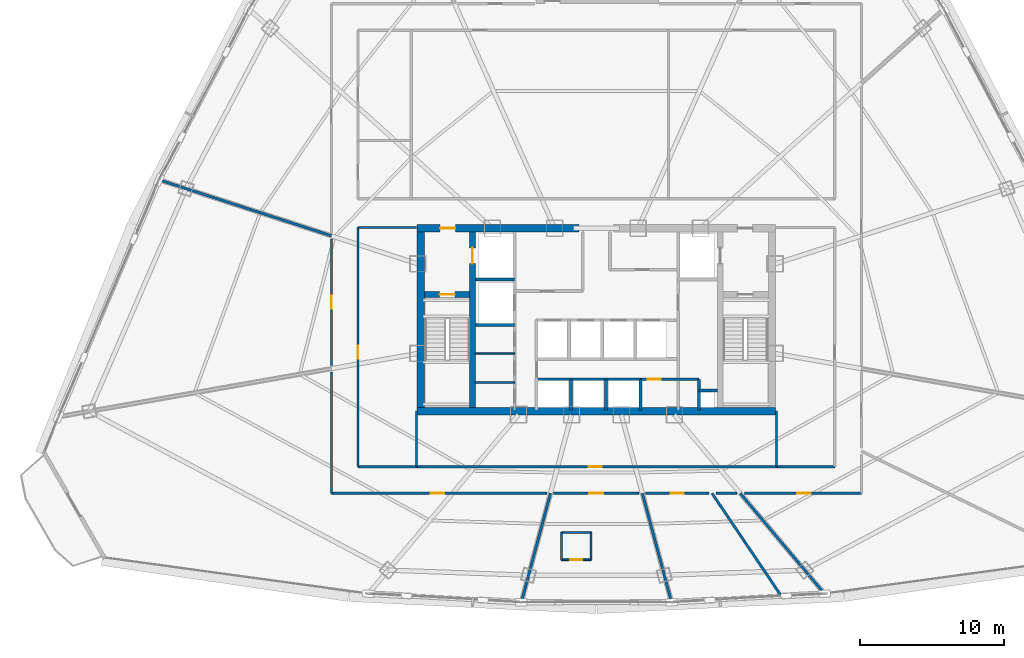
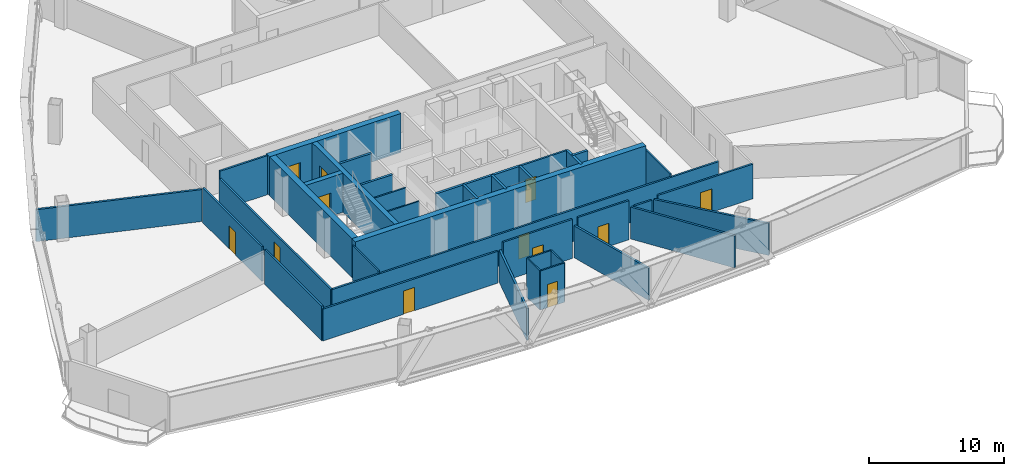
# One storey, part 30 of 37: 37 walls, 12 doors, 12 openings.
"""IFC4 building model written with IfcOpenShell, lengths in metres."""

from ifc_helpers import new_model, si_unit, direction, frame, frame_2d, origin, origin_with_axes, place, context, subcontext, project, spatial, rectangle, extrude, source, transform, mapped, material, layer, layer_set, type_object, element, fill, save


model = new_model("IFC4")

# Units and contexts
model_context = context("Model", 3, precision=1e-05, world=origin(), true_north=direction((0.0, 1.0)))
body_context = subcontext(model_context, "Body", "Model", "MODEL_VIEW")
ifc_project = project(units=[si_unit("LENGTHUNIT", "METRE"), si_unit("AREAUNIT", "SQUARE_METRE"), si_unit("VOLUMEUNIT", "CUBIC_METRE"), si_unit("PLANEANGLEUNIT", "RADIAN"), si_unit("MASSUNIT", "GRAM", prefix="KILO"), si_unit("THERMODYNAMICTEMPERATUREUNIT", "KELVIN"), si_unit("POWERUNIT", "WATT")], contexts=[model_context])

# Site, building, storey
site_placement = place(None, origin())
site = spatial("IfcSite", under=ifc_project, at=site_placement, CompositionType="ELEMENT")
building_placement = place(site_placement, origin())
building = spatial("IfcBuilding", under=site, at=building_placement, Name="Yunzhuo Pagoda Commons", CompositionType="ELEMENT")
storey_placement = place(building_placement, frame((0.0, 0.0, 192.360107421875)))
storey = spatial("IfcBuildingStorey", under=building, at=storey_placement, Name="L48", CompositionType="ELEMENT", Elevation=192.360107421875)

# Wall
ifc_material_1 = material(Name="Concrete C50", Category="concrete")
ifc_layer_1 = layer(ifc_material_1, 0.5)
ifc_layer_set_1 = layer_set([ifc_layer_1], Name="Concrete C50")
wall_type_1 = type_object("IfcWallType", Name="W-C03 Upper Core Shear Wall 500", PredefinedType="SHEAR", material=ifc_layer_set_1)
wall_1_placement = place(storey_placement, frame((35.550048828125, 27.5, 0.0), z_axis=(0.0, 0.0, 1.0), x_axis=(1.0, 0.0, 0.0)))
element("IfcWall", 1, at=wall_1_placement, inside=storey, type_object=wall_type_1, Name="L48 core shear wall S", PredefinedType="SHEAR", context=body_context, shape_type="SweptSolid", body=[
    extrude(rectangle(XDim=24.89990234375, YDim=0.5, at=frame_2d((12.449951171875, 0.0))), origin(), (0.0, 0.0, 1.0), 3.539794921875),
])

# Wall, opening, door
wall_2_placement = place(storey_placement, frame((35.550048828125, 40.199951171875, 0.0), z_axis=(0.0, 0.0, 1.0), x_axis=(1.0, 0.0, 0.0)))
wall_2 = element("IfcWall", 2, at=wall_2_placement, inside=storey, type_object=wall_type_1, Name="L48 core shear wall NW", PredefinedType="SHEAR", context=body_context, shape_type="SweptSolid", body=[
    extrude(rectangle(XDim=11.25, YDim=0.5, at=frame_2d((5.625, 0.0))), origin(), (0.0, 0.0, 1.0), 3.539794921875),
])
opening_1_placement = place(wall_2_placement, frame((1.60009765625, 0.0, 0.0)))
opening_1 = element("IfcOpeningElement", 3, at=opening_1_placement, cuts=wall_2, Name="Opening D-02", PredefinedType="OPENING", context=body_context, shape_type="SweptSolid", body=[
    extrude(rectangle(XDim=1.050048828125, YDim=2.10009765625, at=frame_2d((0.52490234375, 1.050048828125))), frame((0.0, 0.260009765625, 0.0), z_axis=(0.0, -1.0, 0.0), x_axis=(1.0, 0.0, 0.0)), (0.0, 0.0, 1.0), 0.52001953125),
])
ifc_material_2 = material(Name="Galvanized fire-resisting metal leaf")
door_type_1 = type_object("IfcDoorType", Name="D-02 Firefighting Lobby & Refuge Fire Door 1050x2100", OperationType="NOTDEFINED", PredefinedType="DOOR", material=ifc_material_2)
shared_shape_1 = source(origin(), body_context, "Body", "SweptSolid", [
    extrude(rectangle(XDim=1.050048828125, YDim=2.10009765625, at=frame_2d((0.52490234375, 1.050048828125))), frame((0.0, 0.02490234375, 0.0), z_axis=(0.0, -1.0, 0.0), x_axis=(1.0, 0.0, 0.0)), (0.0, 0.0, 1.0), 0.050048828125),
])
door_1_placement = place(opening_1_placement, frame((1.050048828125, 0.0, 0.0), z_axis=(0.0, 0.0, 1.0), x_axis=(-1.0, 0.0, 0.0)))
door_1 = element("IfcDoor", 4, at=door_1_placement, inside=storey, type_object=door_type_1, Name="L48 Firefighting Lobby 1 fire door", OperationType="SINGLE_SWING_LEFT", OverallHeight=2.10009765625, OverallWidth=1.050048828125, PredefinedType="DOOR", context=body_context, shape_type="MappedRepresentation", body=[
    mapped(shared_shape_1, transform((0.0, 0.0, 0.0), scale=1.0)),
])
fill(opening_1, door_1)

# Wall
wall_3_placement = place(storey_placement, frame((35.800048828125, 27.75, 0.0), z_axis=(0.0, 0.0, 1.0), x_axis=(0.0, 1.0, 0.0)))
element("IfcWall", 5, at=wall_3_placement, inside=storey, type_object=wall_type_1, Name="L48 core shear wall W", PredefinedType="SHEAR", context=body_context, shape_type="SweptSolid", body=[
    extrude(rectangle(XDim=12.199951171875, YDim=0.5, at=frame_2d((6.10009765625, 0.0))), origin(), (0.0, 0.0, 1.0), 3.539794921875),
])

# Wall, opening, door
ifc_material_3 = material(Name="Gypsum plasterboard on acoustic stud")
ifc_layer_2 = layer(ifc_material_3, 0.155029296875)
ifc_layer_set_2 = layer_set([ifc_layer_2], Name="Gypsum plasterboard on acoustic stud")
wall_type_2 = type_object("IfcWallType", Name="W-COR2 Mid-Zone Rated Corridor Wall 155", PredefinedType="PARTITIONING", material=ifc_layer_set_2)
wall_4_placement = place(storey_placement, frame((51.050048828125, 29.719970703125, 0.0), z_axis=(0.0, 0.0, 1.0), x_axis=(1.0, 0.0, 0.0)))
wall_4 = element("IfcWall", 6, at=wall_4_placement, inside=storey, type_object=wall_type_2, Name="L48 interior wall IW-L48-CSES", PredefinedType="PARTITIONING", context=body_context, shape_type="SweptSolid", body=[
    extrude(rectangle(XDim=4.070068359375, YDim=0.155029296875, at=frame_2d((2.03515625, 0.0))), origin(), (0.0, 0.0, 1.0), 3.539794921875),
])
opening_2_placement = place(wall_4_placement, frame((0.5, 0.0, 0.0)))
opening_2 = element("IfcOpeningElement", 7, at=opening_2_placement, cuts=wall_4, Name="Opening D-03", PredefinedType="OPENING", context=body_context, shape_type="SweptSolid", body=[
    extrude(rectangle(XDim=0.89990234375, YDim=2.10009765625, at=frame_2d((0.449951171875, 1.050048828125))), frame((0.0, 0.08740234375, 0.0), z_axis=(0.0, -1.0, 0.0), x_axis=(1.0, 0.0, 0.0)), (0.0, 0.0, 1.0), 0.175048828125),
])
door_type_2 = type_object("IfcDoorType", Name="D-03 Core Service Fire Door 900x2100", OperationType="NOTDEFINED", PredefinedType="DOOR", material=ifc_material_2)
shared_shape_2 = source(origin(), body_context, "Body", "SweptSolid", [
    extrude(rectangle(XDim=0.89990234375, YDim=2.10009765625, at=frame_2d((0.449951171875, 1.050048828125))), frame((0.0, 0.02490234375, 0.0), z_axis=(0.0, -1.0, 0.0), x_axis=(1.0, 0.0, 0.0)), (0.0, 0.0, 1.0), 0.050048828125),
])
door_2_placement = place(opening_2_placement, origin_with_axes())
door_2 = element("IfcDoor", 8, at=door_2_placement, inside=storey, type_object=door_type_2, Name="L48 core pantry door", OperationType="SINGLE_SWING_RIGHT", OverallHeight=2.10009765625, OverallWidth=0.89990234375, PredefinedType="DOOR", context=body_context, shape_type="MappedRepresentation", body=[
    mapped(shared_shape_2, transform((0.0, 0.0, 0.0), scale=1.0)),
])
fill(opening_2, door_2)

wall_5_placement = place(storey_placement, frame((31.449951171875, 23.64990234375, 0.0), z_axis=(0.0, 0.0, 1.0), x_axis=(0.0, 1.0, 0.0)))
wall_5 = element("IfcWall", 9, at=wall_5_placement, inside=storey, type_object=wall_type_2, Name="L48 interior wall IW-L48-SFLW", PredefinedType="PARTITIONING", context=body_context, shape_type="SweptSolid", body=[
    extrude(rectangle(XDim=16.60009765625, YDim=0.155029296875, at=frame_2d((8.300048828125, 0.0))), origin(), (0.0, 0.0, 1.0), 2.889892578125),
])
opening_3_placement = place(wall_5_placement, frame((7.5, 0.0, 0.0)))
opening_3 = element("IfcOpeningElement", 10, at=opening_3_placement, cuts=wall_5, Name="Opening D-12", PredefinedType="OPENING", context=body_context, shape_type="SweptSolid", body=[
    extrude(rectangle(XDim=0.89990234375, YDim=2.080078125, at=frame_2d((0.449951171875, 1.0400390625))), frame((0.0, 0.08740234375, 0.0), z_axis=(0.0, -1.0, 0.0), x_axis=(1.0, 0.0, 0.0)), (0.0, 0.0, 1.0), 0.175048828125),
])
ifc_material_4 = material(Name="Powder-coated aluminium and timber acoustic leaf", Category="wood")
door_type_3 = type_object("IfcDoorType", Name="D-12 Quiet Study Interior Door 900x2080", OperationType="NOTDEFINED", PredefinedType="DOOR", material=ifc_material_4)
shared_shape_3 = source(origin(), body_context, "Body", "SweptSolid", [
    extrude(rectangle(XDim=0.89990234375, YDim=2.080078125, at=frame_2d((0.449951171875, 1.0400390625))), frame((0.0, 0.02490234375, 0.0), z_axis=(0.0, -1.0, 0.0), x_axis=(1.0, 0.0, 0.0)), (0.0, 0.0, 1.0), 0.050048828125),
])
door_3_placement = place(opening_3_placement, origin_with_axes())
door_3 = element("IfcDoor", 11, at=door_3_placement, inside=storey, type_object=door_type_3, Name="L48 west study workroom door", OperationType="SINGLE_SWING_LEFT", OverallHeight=2.080078125, OverallWidth=0.89990234375, PredefinedType="DOOR", context=body_context, shape_type="MappedRepresentation", body=[
    mapped(shared_shape_3, transform((0.0, 0.0, 0.0), scale=1.0)),
])
fill(opening_3, door_3)

wall_6_placement = place(storey_placement, frame((31.449951171875, 23.64990234375, 0.0), z_axis=(0.0, 0.0, 1.0), x_axis=(1.0, 0.0, 0.0)))
wall_6 = element("IfcWall", 12, at=wall_6_placement, inside=storey, type_object=wall_type_2, Name="L48 interior wall IW-L48-SFLS", PredefinedType="PARTITIONING", context=body_context, shape_type="SweptSolid", body=[
    extrude(rectangle(XDim=33.10009765625, YDim=0.155029296875, at=frame_2d((16.550048828125, 0.0))), origin(), (0.0, 0.0, 1.0), 2.889892578125),
])
opening_4_placement = place(wall_6_placement, frame((16.0, 0.0, 0.0)))
opening_4 = element("IfcOpeningElement", 13, at=opening_4_placement, cuts=wall_6, Name="Opening D-04", PredefinedType="OPENING", context=body_context, shape_type="SweptSolid", body=[
    extrude(rectangle(XDim=0.919921875, YDim=2.10009765625, at=frame_2d((0.4599609375, 1.050048828125))), frame((0.0, 0.08740234375, 0.0), z_axis=(0.0, -1.0, 0.0), x_axis=(1.0, 0.0, 0.0)), (0.0, 0.0, 1.0), 0.175048828125),
])
door_type_4 = type_object("IfcDoorType", Name="D-04 Bedroom & Study Interior Door 920x2100", OperationType="NOTDEFINED", PredefinedType="DOOR", material=ifc_material_4)
shared_shape_4 = source(origin(), body_context, "Body", "SweptSolid", [
    extrude(rectangle(XDim=0.919921875, YDim=2.10009765625, at=frame_2d((0.4599609375, 1.050048828125))), frame((0.0, 0.02490234375, 0.0), z_axis=(0.0, -1.0, 0.0), x_axis=(1.0, 0.0, 0.0)), (0.0, 0.0, 1.0), 0.050048828125),
])
door_4_placement = place(opening_4_placement, frame((0.919921875, 0.0, 0.0), z_axis=(0.0, 0.0, 1.0), x_axis=(-1.0, 0.0, 0.0)))
door_4 = element("IfcDoor", 14, at=door_4_placement, inside=storey, type_object=door_type_4, Name="L48 south seminar room door", OperationType="SINGLE_SWING_RIGHT", OverallHeight=2.10009765625, OverallWidth=0.919921875, PredefinedType="DOOR", context=body_context, shape_type="MappedRepresentation", body=[
    mapped(shared_shape_4, transform((0.0, 0.0, 0.0), scale=1.0)),
])
fill(opening_4, door_4)

# Walls
wall_7_placement = place(storey_placement, frame((31.449951171875, 40.25, 0.0), z_axis=(0.0, 0.0, 1.0), x_axis=(1.0, 0.0, 0.0)))
element("IfcWall", 15, at=wall_7_placement, inside=storey, type_object=wall_type_2, Name="L48 interior wall IW-L48-SFLNW", PredefinedType="PARTITIONING", context=body_context, shape_type="SweptSolid", body=[
    extrude(rectangle(XDim=4.050048828125, YDim=0.155029296875, at=frame_2d((2.02490234375, 0.0))), origin(), (0.0, 0.0, 1.0), 3.539794921875),
])
wall_8_placement = place(storey_placement, frame((29.60009765625, 21.800048828125, 0.0), z_axis=(0.0, 0.0, 1.0), x_axis=(0.0, 1.0, 0.0)))
element("IfcWall", 16, at=wall_8_placement, inside=storey, type_object=wall_type_2, Name="L48 interior wall IW-L48-CWL01", PredefinedType="PARTITIONING", context=body_context, shape_type="SweptSolid", body=[
    extrude(rectangle(XDim=8.43212890625, YDim=0.155029296875, at=frame_2d((4.216064453125, 0.0))), origin(), (0.0, 0.0, 1.0), 3.139892578125),
])

# Wall, opening, door
wall_9_placement = place(storey_placement, frame((29.60009765625, 30.67529296875, 0.0), z_axis=(0.0, 0.0, 1.0), x_axis=(0.0, 1.0, 0.0)))
wall_9 = element("IfcWall", 17, at=wall_9_placement, inside=storey, type_object=wall_type_2, Name="L48 interior wall IW-L48-CWL02", PredefinedType="PARTITIONING", context=body_context, shape_type="SweptSolid", body=[
    extrude(rectangle(XDim=8.783447265625, YDim=0.155029296875, at=frame_2d((4.3916015625, 0.0))), origin(), (0.0, 0.0, 1.0), 3.139892578125),
])
opening_5_placement = place(wall_9_placement, frame((3.931640625, 0.0, 0.0)))
opening_5 = element("IfcOpeningElement", 18, at=opening_5_placement, cuts=wall_9, Name="Opening D-04", PredefinedType="OPENING", context=body_context, shape_type="SweptSolid", body=[
    extrude(rectangle(XDim=0.919921875, YDim=2.10009765625, at=frame_2d((0.4599609375, 1.050048828125))), frame((0.0, 0.08740234375, 0.0), z_axis=(0.0, -1.0, 0.0), x_axis=(1.0, 0.0, 0.0)), (0.0, 0.0, 1.0), 0.175048828125),
])
door_5_placement = place(opening_5_placement, origin_with_axes())
door_5 = element("IfcDoor", 19, at=door_5_placement, inside=storey, type_object=door_type_4, Name="L48 seminar room 05 door", OperationType="SINGLE_SWING_RIGHT", OverallHeight=2.10009765625, OverallWidth=0.919921875, PredefinedType="DOOR", context=body_context, shape_type="MappedRepresentation", body=[
    mapped(shared_shape_4, transform((0.0, 0.0, 0.0), scale=1.0)),
])
fill(opening_5, door_5)

wall_10_placement = place(storey_placement, frame((66.39990234375, 21.800048828125, 0.0), z_axis=(0.0, 0.0, 1.0), x_axis=(-1.0, 0.0, 0.0)))
wall_10 = element("IfcWall", 20, at=wall_10_placement, inside=storey, type_object=wall_type_2, Name="L48 interior wall IW-L48-CWL12", PredefinedType="PARTITIONING", context=body_context, shape_type="SweptSolid", body=[
    extrude(rectangle(XDim=8.12744140625, YDim=0.155029296875, at=frame_2d((4.063720703125, 0.0))), origin(), (0.0, 0.0, 1.0), 3.139892578125),
])
opening_6_placement = place(wall_10_placement, frame((3.50244140625, 0.0, 0.0)))
opening_6 = element("IfcOpeningElement", 21, at=opening_6_placement, cuts=wall_10, Name="Opening D-07", PredefinedType="OPENING", context=body_context, shape_type="SweptSolid", body=[
    extrude(rectangle(XDim=0.9599609375, YDim=2.1201171875, at=frame_2d((0.47998046875, 1.06005859375))), frame((0.0, 0.08740234375, 0.0), z_axis=(0.0, -1.0, 0.0), x_axis=(1.0, 0.0, 0.0)), (0.0, 0.0, 1.0), 0.175048828125),
])
door_type_5 = type_object("IfcDoorType", Name="D-07 Mid-Zone Suite Entrance Fire Door 960x2120", OperationType="NOTDEFINED", PredefinedType="DOOR", material=ifc_material_2)
shared_shape_5 = source(origin(), body_context, "Body", "SweptSolid", [
    extrude(rectangle(XDim=0.9599609375, YDim=2.1201171875, at=frame_2d((0.47998046875, 1.06005859375))), frame((0.0, 0.02490234375, 0.0), z_axis=(0.0, -1.0, 0.0), x_axis=(1.0, 0.0, 0.0)), (0.0, 0.0, 1.0), 0.050048828125),
])
door_6_placement = place(opening_6_placement, origin_with_axes())
door_6 = element("IfcDoor", 22, at=door_6_placement, inside=storey, type_object=door_type_5, Name="L48 unit 10 entrance door", OperationType="SINGLE_SWING_LEFT", OverallHeight=2.1201171875, OverallWidth=0.9599609375, PredefinedType="DOOR", context=body_context, shape_type="MappedRepresentation", body=[
    mapped(shared_shape_5, transform((0.0, 0.0, 0.0), scale=1.0)),
])
fill(opening_6, door_6)

# Wall
wall_11_placement = place(storey_placement, frame((57.765380859375, 21.800048828125, 0.0), z_axis=(0.0, 0.0, 1.0), x_axis=(-1.0, 0.0, 0.0)))
element("IfcWall", 23, at=wall_11_placement, inside=storey, type_object=wall_type_2, Name="L48 interior wall IW-L48-CWL13", PredefinedType="PARTITIONING", context=body_context, shape_type="SweptSolid", body=[
    extrude(rectangle(XDim=1.473388671875, YDim=0.155029296875, at=frame_2d((0.73681640625, 0.0))), origin(), (0.0, 0.0, 1.0), 2.889892578125),
])

# Wall, opening, door
wall_12_placement = place(storey_placement, frame((55.806640625, 21.800048828125, 0.0), z_axis=(0.0, 0.0, 1.0), x_axis=(-1.0, 0.0, 0.0)))
wall_12 = element("IfcWall", 24, at=wall_12_placement, inside=storey, type_object=wall_type_2, Name="L48 interior wall IW-L48-CWL14", PredefinedType="PARTITIONING", context=body_context, shape_type="SweptSolid", body=[
    extrude(rectangle(XDim=4.39013671875, YDim=0.155029296875, at=frame_2d((2.195068359375, 0.0))), origin(), (0.0, 0.0, 1.0), 3.539794921875),
])
opening_7_placement = place(wall_12_placement, frame((1.739013671875, 0.0, 0.0)))
opening_7 = element("IfcOpeningElement", 25, at=opening_7_placement, cuts=wall_12, Name="Opening D-04", PredefinedType="OPENING", context=body_context, shape_type="SweptSolid", body=[
    extrude(rectangle(XDim=0.919921875, YDim=2.10009765625, at=frame_2d((0.4599609375, 1.050048828125))), frame((0.0, 0.08740234375, 0.0), z_axis=(0.0, -1.0, 0.0), x_axis=(1.0, 0.0, 0.0)), (0.0, 0.0, 1.0), 0.175048828125),
])
door_7_placement = place(opening_7_placement, origin_with_axes())
door_7 = element("IfcDoor", 26, at=door_7_placement, inside=storey, type_object=door_type_4, Name="L48 fellow workroom 08 door", OperationType="SINGLE_SWING_LEFT", OverallHeight=2.10009765625, OverallWidth=0.919921875, PredefinedType="DOOR", context=body_context, shape_type="MappedRepresentation", body=[
    mapped(shared_shape_4, transform((0.0, 0.0, 0.0), scale=1.0)),
])
fill(opening_7, door_7)

wall_13_placement = place(storey_placement, frame((50.96875, 21.800048828125, 0.0), z_axis=(0.0, 0.0, 1.0), x_axis=(-1.0, 0.0, 0.0)))
wall_13 = element("IfcWall", 27, at=wall_13_placement, inside=storey, type_object=wall_type_2, Name="L48 interior wall IW-L48-CWL15", PredefinedType="PARTITIONING", context=body_context, shape_type="SweptSolid", body=[
    extrude(rectangle(XDim=5.9375, YDim=0.155029296875, at=frame_2d((2.96875, 0.0))), origin(), (0.0, 0.0, 1.0), 3.539794921875),
])
opening_8_placement = place(wall_13_placement, frame((2.493896484375, 0.0, 0.0)))
opening_8 = element("IfcOpeningElement", 28, at=opening_8_placement, cuts=wall_13, Name="Opening D-07", PredefinedType="OPENING", context=body_context, shape_type="SweptSolid", body=[
    extrude(rectangle(XDim=0.9599609375, YDim=2.1201171875, at=frame_2d((0.47998046875, 1.06005859375))), frame((0.0, 0.08740234375, 0.0), z_axis=(0.0, -1.0, 0.0), x_axis=(1.0, 0.0, 0.0)), (0.0, 0.0, 1.0), 0.175048828125),
])
door_8_placement = place(opening_8_placement, origin_with_axes())
door_8 = element("IfcDoor", 29, at=door_8_placement, inside=storey, type_object=door_type_5, Name="L48 unit 07 entrance door", OperationType="SINGLE_SWING_RIGHT", OverallHeight=2.1201171875, OverallWidth=0.9599609375, PredefinedType="DOOR", context=body_context, shape_type="MappedRepresentation", body=[
    mapped(shared_shape_5, transform((0.0, 0.0, 0.0), scale=1.0)),
])
fill(opening_8, door_8)

wall_14_placement = place(storey_placement, frame((44.58349609375, 21.800048828125, 0.0), z_axis=(0.0, 0.0, 1.0), x_axis=(-1.0, 0.0, 0.0)))
wall_14 = element("IfcWall", 30, at=wall_14_placement, inside=storey, type_object=wall_type_2, Name="L48 interior wall IW-L48-CWL16", PredefinedType="PARTITIONING", context=body_context, shape_type="SweptSolid", body=[
    extrude(rectangle(XDim=14.9833984375, YDim=0.155029296875, at=frame_2d((7.49169921875, 0.0))), origin(), (0.0, 0.0, 1.0), 2.889892578125),
])
opening_9_placement = place(wall_14_placement, frame((7.1328125, 0.0, 0.0)))
opening_9 = element("IfcOpeningElement", 31, at=opening_9_placement, cuts=wall_14, Name="Opening D-07", PredefinedType="OPENING", context=body_context, shape_type="SweptSolid", body=[
    extrude(rectangle(XDim=0.9599609375, YDim=2.1201171875, at=frame_2d((0.47998046875, 1.06005859375))), frame((0.0, 0.08740234375, 0.0), z_axis=(0.0, -1.0, 0.0), x_axis=(1.0, 0.0, 0.0)), (0.0, 0.0, 1.0), 0.175048828125),
])
door_9_placement = place(opening_9_placement, origin_with_axes())
door_9 = element("IfcDoor", 32, at=door_9_placement, inside=storey, type_object=door_type_5, Name="L48 Academic Reading Commons 2 door", OperationType="SINGLE_SWING_LEFT", OverallHeight=2.1201171875, OverallWidth=0.9599609375, PredefinedType="DOOR", context=body_context, shape_type="MappedRepresentation", body=[
    mapped(shared_shape_5, transform((0.0, 0.0, 0.0), scale=1.0)),
])
fill(opening_9, door_9)

# Walls
ifc_layer_3 = layer(ifc_material_3, 0.1201171875)
ifc_layer_set_3 = layer_set([ifc_layer_3], Name="Gypsum plasterboard on acoustic stud")
wall_type_3 = type_object("IfcWallType", Name="W-PRT1 Suite & Bathroom Partition 120", PredefinedType="PARTITIONING", material=ifc_layer_set_3)
for number, where, z_axis, x_axis, name in (
    (33, (39.60009765625, 29.5, 0.0), (0.0, 0.0, 1.0), (1.0, 0.0, 0.0), "L48 interior wall IW-L48-CC1"),
    (34, (39.60009765625, 31.5, 0.0), (0.0, 0.0, 1.0), (1.0, 0.0, 0.0), "L48 interior wall IW-L48-CC2"),
):
    element("IfcWall", number, at=place(storey_placement, frame(where, z_axis=z_axis, x_axis=x_axis)), inside=storey, type_object=wall_type_3, Name=name, PredefinedType="PARTITIONING", context=body_context, shape_type="SweptSolid", body=[
        extrude(rectangle(XDim=2.719970703125, YDim=0.1201171875, at=frame_2d((1.35986328125, 0.0))), origin(), (0.0, 0.0, 1.0), 3.539794921875),
    ])
for number, where, z_axis, x_axis, name in (
    (35, (35.5, 23.64990234375, 0.0), (0.0, 0.0, 1.0), (0.0, 1.0, 0.0), "L48 interior wall IW-L48-SFLD1"),
    (36, (60.5, 23.64990234375, 0.0), (0.0, 0.0, 1.0), (0.0, 1.0, 0.0), "L48 interior wall IW-L48-SFLD2"),
):
    element("IfcWall", number, at=place(storey_placement, frame(where, z_axis=z_axis, x_axis=x_axis)), inside=storey, type_object=wall_type_3, Name=name, PredefinedType="PARTITIONING", context=body_context, shape_type="SweptSolid", body=[
        extrude(rectangle(XDim=3.85009765625, YDim=0.1201171875, at=frame_2d((1.925048828125, 0.0))), origin(), (0.0, 0.0, 1.0), 3.139892578125),
    ])

# Wall, opening, door
wall_15_placement = place(storey_placement, frame((45.574951171875, 17.18701171875, 0.0), z_axis=(0.0, 0.0, 1.0), x_axis=(1.0, 0.0, 0.0)))
wall_15 = element("IfcWall", 37, at=wall_15_placement, inside=storey, type_object=wall_type_3, Name="L48 interior wall IW-L48-B07S", PredefinedType="PARTITIONING", context=body_context, shape_type="SweptSolid", body=[
    extrude(rectangle(XDim=2.050048828125, YDim=0.1201171875, at=frame_2d((1.02490234375, 0.0))), origin(), (0.0, 0.0, 1.0), 3.539794921875),
])
opening_10_placement = place(wall_15_placement, frame((0.60009765625, 0.0, 0.0)))
opening_10 = element("IfcOpeningElement", 38, at=opening_10_placement, cuts=wall_15, Name="Opening D-05", PredefinedType="OPENING", context=body_context, shape_type="SweptSolid", body=[
    extrude(rectangle(XDim=0.85009765625, YDim=2.10009765625, at=frame_2d((0.425048828125, 1.050048828125))), frame((0.0, 0.070068359375, 0.0), z_axis=(0.0, -1.0, 0.0), x_axis=(1.0, 0.0, 0.0)), (0.0, 0.0, 1.0), 0.14013671875),
])
door_type_6 = type_object("IfcDoorType", Name="D-05 En-Suite Bathroom Door 850x2100", OperationType="NOTDEFINED", PredefinedType="DOOR", material=ifc_material_4)
shared_shape_6 = source(origin(), body_context, "Body", "SweptSolid", [
    extrude(rectangle(XDim=0.85009765625, YDim=2.10009765625, at=frame_2d((0.425048828125, 1.050048828125))), frame((0.0, 0.02490234375, 0.0), z_axis=(0.0, -1.0, 0.0), x_axis=(1.0, 0.0, 0.0)), (0.0, 0.0, 1.0), 0.050048828125),
])
door_10_placement = place(opening_10_placement, frame((0.85009765625, 0.0, 0.0), z_axis=(0.0, 0.0, 1.0), x_axis=(-1.0, 0.0, 0.0)))
door_10 = element("IfcDoor", 39, at=door_10_placement, inside=storey, type_object=door_type_6, Name="L48 unit 07 bathroom door", OperationType="SINGLE_SWING_RIGHT", OverallHeight=2.10009765625, OverallWidth=0.85009765625, PredefinedType="DOOR", context=body_context, shape_type="MappedRepresentation", body=[
    mapped(shared_shape_6, transform((0.0, 0.0, 0.0), scale=1.0)),
])
fill(opening_10, door_10)

# Walls
wall_16_placement = place(storey_placement, frame((47.625, 17.18701171875, 0.0), z_axis=(0.0, 0.0, 1.0), x_axis=(0.0, 1.0, 0.0)))
element("IfcWall", 40, at=wall_16_placement, inside=storey, type_object=wall_type_3, Name="L48 interior wall IW-L48-B07E", PredefinedType="PARTITIONING", context=body_context, shape_type="SweptSolid", body=[
    extrude(rectangle(XDim=1.89990234375, YDim=0.1201171875, at=frame_2d((0.949951171875, 0.0))), origin(), (0.0, 0.0, 1.0), 3.539794921875),
])
wall_17_placement = place(storey_placement, frame((47.625, 19.0869140625, 0.0), z_axis=(0.0, 0.0, 1.0), x_axis=(-1.0, 0.0, 0.0)))
element("IfcWall", 41, at=wall_17_placement, inside=storey, type_object=wall_type_3, Name="L48 interior wall IW-L48-B07N", PredefinedType="PARTITIONING", context=body_context, shape_type="SweptSolid", body=[
    extrude(rectangle(XDim=2.050048828125, YDim=0.1201171875, at=frame_2d((1.02490234375, 0.0))), origin(), (0.0, 0.0, 1.0), 3.539794921875),
])
wall_18_placement = place(storey_placement, frame((45.574951171875, 19.0869140625, 0.0), z_axis=(0.0, 0.0, 1.0), x_axis=(0.0, -1.0, 0.0)))
element("IfcWall", 42, at=wall_18_placement, inside=storey, type_object=wall_type_3, Name="L48 interior wall IW-L48-B07W", PredefinedType="PARTITIONING", context=body_context, shape_type="SweptSolid", body=[
    extrude(rectangle(XDim=1.89990234375, YDim=0.1201171875, at=frame_2d((0.949951171875, 0.0))), origin(), (0.0, 0.0, 1.0), 3.539794921875),
])
ifc_layer_4 = layer(ifc_material_3, 0.175048828125)
ifc_layer_set_4 = layer_set([ifc_layer_4], Name="Gypsum plasterboard on acoustic stud")
wall_type_4 = type_object("IfcWallType", Name="W-PRT3 Mid-Zone Demising Wall 175", PredefinedType="PARTITIONING", material=ifc_layer_set_4)
wall_19_placement = place(storey_placement, frame((29.60009765625, 39.678466796875, 0.0), z_axis=(0.0, 0.0, 1.0), x_axis=(-0.951056149915, 0.309018121975, 0.0)))
element("IfcWall", 43, at=wall_19_placement, inside=storey, type_object=wall_type_4, Name="L48 interior wall IW-L48-RAD04", PredefinedType="PARTITIONING", context=body_context, shape_type="SweptSolid", body=[
    extrude(rectangle(XDim=12.592529296875, YDim=0.175048828125, at=frame_2d((6.29638671875, 0.0))), origin(), (0.0, 0.0, 1.0), 2.889892578125),
])
for number, where, z_axis, x_axis, name in (
    (44, (44.811279296875, 21.800048828125, 0.0), (0.0, 0.0, 1.0), (-0.258810863021, -0.965928018634, 0.0), "L48 interior wall IW-L48-RAD06"),
    (45, (51.188720703125, 21.800048828125, 0.0), (0.0, 0.0, 1.0), (0.258810863021, -0.965928018634, 0.0), "L48 interior wall IW-L48-RAD07"),
):
    element("IfcWall", number, at=place(storey_placement, frame(where, z_axis=z_axis, x_axis=x_axis)), inside=storey, type_object=wall_type_4, Name=name, PredefinedType="PARTITIONING", context=body_context, shape_type="SweptSolid", body=[
        extrude(rectangle(XDim=7.833251953125, YDim=0.175048828125, at=frame_2d((3.91650390625, 0.0))), origin(), (0.0, 0.0, 1.0), 2.889892578125),
    ])
wall_20_placement = place(storey_placement, frame((56.026611328125, 21.800048828125, 0.0), z_axis=(0.0, 0.0, 1.0), x_axis=(0.559186988523, -0.829041562207, 0.0)))
element("IfcWall", 46, at=wall_20_placement, inside=storey, type_object=wall_type_4, Name="L48 interior wall IW-L48-RAD08", PredefinedType="PARTITIONING", context=body_context, shape_type="SweptSolid", body=[
    extrude(rectangle(XDim=8.611083984375, YDim=0.175048828125, at=frame_2d((4.3056640625, 0.0))), origin(), (0.0, 0.0, 1.0), 2.889892578125),
])
wall_21_placement = place(storey_placement, frame((57.9853515625, 21.800048828125, 0.0), z_axis=(0.0, 0.0, 1.0), x_axis=(0.642790573147, -0.76604195647, 0.0)))
element("IfcWall", 47, at=wall_21_placement, inside=storey, type_object=wall_type_4, Name="L48 interior wall IW-L48-RAD09", PredefinedType="PARTITIONING", context=body_context, shape_type="SweptSolid", body=[
    extrude(rectangle(XDim=9.099853515625, YDim=0.175048828125, at=frame_2d((4.5498046875, 0.0))), origin(), (0.0, 0.0, 1.0), 2.889892578125),
])

# Wall, opening, door
ifc_material_5 = material(Name="Concrete C60", Category="concrete")
ifc_layer_5 = layer(ifc_material_5, 0.39990234375)
ifc_layer_set_5 = layer_set([ifc_layer_5], Name="Concrete C60")
wall_type_5 = type_object("IfcWallType", Name="W-S01 Internal Core Shear Web 400", PredefinedType="SHEAR", material=ifc_layer_set_5)
wall_22_placement = place(storey_placement, frame((39.39990234375, 27.75, 0.0), z_axis=(0.0, 0.0, 1.0), x_axis=(0.0, 1.0, 0.0)))
wall_22 = element("IfcWall", 48, at=wall_22_placement, inside=storey, type_object=wall_type_5, Name="L48 core shear wall WEBW", PredefinedType="SHEAR", context=body_context, shape_type="SweptSolid", body=[
    extrude(rectangle(XDim=12.199951171875, YDim=0.39990234375, at=frame_2d((6.10009765625, 0.0))), origin(), (0.0, 0.0, 1.0), 3.539794921875),
])
opening_11_placement = place(wall_22_placement, frame((10.0, 0.0, 0.0)))
opening_11 = element("IfcOpeningElement", 49, at=opening_11_placement, cuts=wall_22, Name="Opening LD-01", PredefinedType="OPENING", context=body_context, shape_type="SweptSolid", body=[
    extrude(rectangle(XDim=1.10009765625, YDim=2.10009765625, at=frame_2d((0.550048828125, 1.050048828125))), frame((0.0, 0.2099609375, 0.0), z_axis=(0.0, -1.0, 0.0), x_axis=(1.0, 0.0, 0.0)), (0.0, 0.0, 1.0), 0.419921875),
])
door_type_7 = type_object("IfcDoorType", Name="LD-01 Firefighting Lift Landing Door 1100x2100", OperationType="DOUBLE_DOOR_SLIDING", PredefinedType="DOOR", material=ifc_material_2)
shared_shape_7 = source(origin(), body_context, "Body", "SweptSolid", [
    extrude(rectangle(XDim=1.10009765625, YDim=2.10009765625, at=frame_2d((0.550048828125, 1.050048828125))), frame((0.0, 0.02490234375, 0.0), z_axis=(0.0, -1.0, 0.0), x_axis=(1.0, 0.0, 0.0)), (0.0, 0.0, 1.0), 0.050048828125),
])
door_11_placement = place(opening_11_placement, frame((1.10009765625, 0.0, 0.0), z_axis=(0.0, 0.0, 1.0), x_axis=(-1.0, 0.0, 0.0)))
door_11 = element("IfcDoor", 50, at=door_11_placement, inside=storey, type_object=door_type_7, Name="L48 Firefighting lift FL-1 landing door", OperationType="DOUBLE_DOOR_SLIDING", OverallHeight=2.10009765625, OverallWidth=1.10009765625, PredefinedType="DOOR", context=body_context, shape_type="MappedRepresentation", body=[
    mapped(shared_shape_7, transform((0.0, 0.0, 0.0), scale=1.0)),
])
fill(opening_11, door_11)

wall_23_placement = place(storey_placement, frame((36.050048828125, 35.60009765625, 0.0), z_axis=(0.0, 0.0, 1.0), x_axis=(1.0, 0.0, 0.0)))
wall_23 = element("IfcWall", 51, at=wall_23_placement, inside=storey, type_object=wall_type_5, Name="L48 core shear wall STW", PredefinedType="SHEAR", context=body_context, shape_type="SweptSolid", body=[
    extrude(rectangle(XDim=3.14990234375, YDim=0.39990234375, at=frame_2d((1.574951171875, 0.0))), origin(), (0.0, 0.0, 1.0), 3.539794921875),
])
opening_12_placement = place(wall_23_placement, frame((1.070068359375, 0.0, 0.0)))
opening_12 = element("IfcOpeningElement", 52, at=opening_12_placement, cuts=wall_23, Name="Opening D-01", PredefinedType="OPENING", context=body_context, shape_type="SweptSolid", body=[
    extrude(rectangle(XDim=1.050048828125, YDim=2.10009765625, at=frame_2d((0.52490234375, 1.050048828125))), frame((0.0, 0.2099609375, 0.0), z_axis=(0.0, -1.0, 0.0), x_axis=(1.0, 0.0, 0.0)), (0.0, 0.0, 1.0), 0.419921875),
])
door_type_8 = type_object("IfcDoorType", Name="D-01 Smokeproof Stair Fire Door 1050x2100", OperationType="NOTDEFINED", PredefinedType="DOOR", material=ifc_material_2)
door_12_placement = place(opening_12_placement, frame((1.050048828125, 0.0, 0.0), z_axis=(0.0, 0.0, 1.0), x_axis=(-1.0, 0.0, 0.0)))
door_12 = element("IfcDoor", 53, at=door_12_placement, inside=storey, type_object=door_type_8, Name="L48 Stair ST1 fire door", OperationType="SINGLE_SWING_LEFT", OverallHeight=2.10009765625, OverallWidth=1.050048828125, PredefinedType="DOOR", context=body_context, shape_type="MappedRepresentation", body=[
    mapped(shared_shape_1, transform((0.0, 0.0, 0.0), scale=1.0)),
])
fill(opening_12, door_12)

# Walls
ifc_material_6 = material(Name="Concrete C40", Category="concrete")
ifc_layer_6 = layer(ifc_material_6, 0.199951171875)
ifc_layer_set_6 = layer_set([ifc_layer_6], Name="Concrete C40")
wall_type_6 = type_object("IfcWallType", Name="W-SHF Shaft & Stair Enclosure Wall 200", PredefinedType="SOLIDWALL", material=ifc_layer_set_6)
for number, where, z_axis, x_axis, name in (
    (54, (39.60009765625, 36.64990234375, 0.0), (0.0, 0.0, 1.0), (1.0, 0.0, 0.0), "L48 interior wall IW-L48-FL1S"),
    (55, (39.60009765625, 33.5, 0.0), (0.0, 0.0, 1.0), (1.0, 0.0, 0.0), "L48 interior wall IW-L48-SL1S"),
):
    element("IfcWall", number, at=place(storey_placement, frame(where, z_axis=z_axis, x_axis=x_axis)), inside=storey, type_object=wall_type_6, Name=name, PredefinedType="SOLIDWALL", context=body_context, shape_type="SweptSolid", body=[
        extrude(rectangle(XDim=2.719970703125, YDim=0.199951171875, at=frame_2d((1.35986328125, 0.0))), origin(), (0.0, 0.0, 1.0), 3.539794921875),
    ])
wall_24_placement = place(storey_placement, frame((43.85009765625, 29.719970703125, 0.0), z_axis=(0.0, 0.0, 1.0), x_axis=(1.0, 0.0, 0.0)))
element("IfcWall", 56, at=wall_24_placement, inside=storey, type_object=wall_type_6, Name="L48 interior wall IW-L48-PLHN", PredefinedType="SOLIDWALL", context=body_context, shape_type="SweptSolid", body=[
    extrude(rectangle(XDim=7.199951171875, YDim=0.199951171875, at=frame_2d((3.60009765625, 0.0))), origin(), (0.0, 0.0, 1.0), 3.539794921875),
])
for number, where, z_axis, x_axis, name in (
    (57, (51.050048828125, 27.60009765625, 0.0), (0.0, 0.0, 1.0), (0.0, 1.0, 0.0), "L48 interior wall IW-L48-PLHE"),
    (58, (46.22509765625, 27.60009765625, 0.0), (0.0, 0.0, 1.0), (0.0, 1.0, 0.0), "L48 interior wall IW-L48-PLHD1"),
    (59, (48.675048828125, 27.60009765625, 0.0), (0.0, 0.0, 1.0), (0.0, 1.0, 0.0), "L48 interior wall IW-L48-PLHD2"),
    (60, (55.1201171875, 27.60009765625, 0.0), (0.0, 0.0, 1.0), (0.0, 1.0, 0.0), "L48 interior wall IW-L48-RSHFW"),
):
    element("IfcWall", number, at=place(storey_placement, frame(where, z_axis=z_axis, x_axis=x_axis)), inside=storey, type_object=wall_type_6, Name=name, PredefinedType="SOLIDWALL", context=body_context, shape_type="SweptSolid", body=[
        extrude(rectangle(XDim=2.119873046875, YDim=0.199951171875, at=frame_2d((1.06005859375, 0.0))), origin(), (0.0, 0.0, 1.0), 3.539794921875),
    ])
wall_25_placement = place(storey_placement, frame((55.1201171875, 28.949951171875, 0.0), z_axis=(0.0, 0.0, 1.0), x_axis=(1.0, 0.0, 0.0)))
element("IfcWall", 61, at=wall_25_placement, inside=storey, type_object=wall_type_6, Name="L48 interior wall IW-L48-RSHFN", PredefinedType="SOLIDWALL", context=body_context, shape_type="SweptSolid", body=[
    extrude(rectangle(XDim=1.27978515625, YDim=0.199951171875, at=frame_2d((0.639892578125, 0.0))), origin(), (0.0, 0.0, 1.0), 3.539794921875),
])

save(model, "model.ifc")
